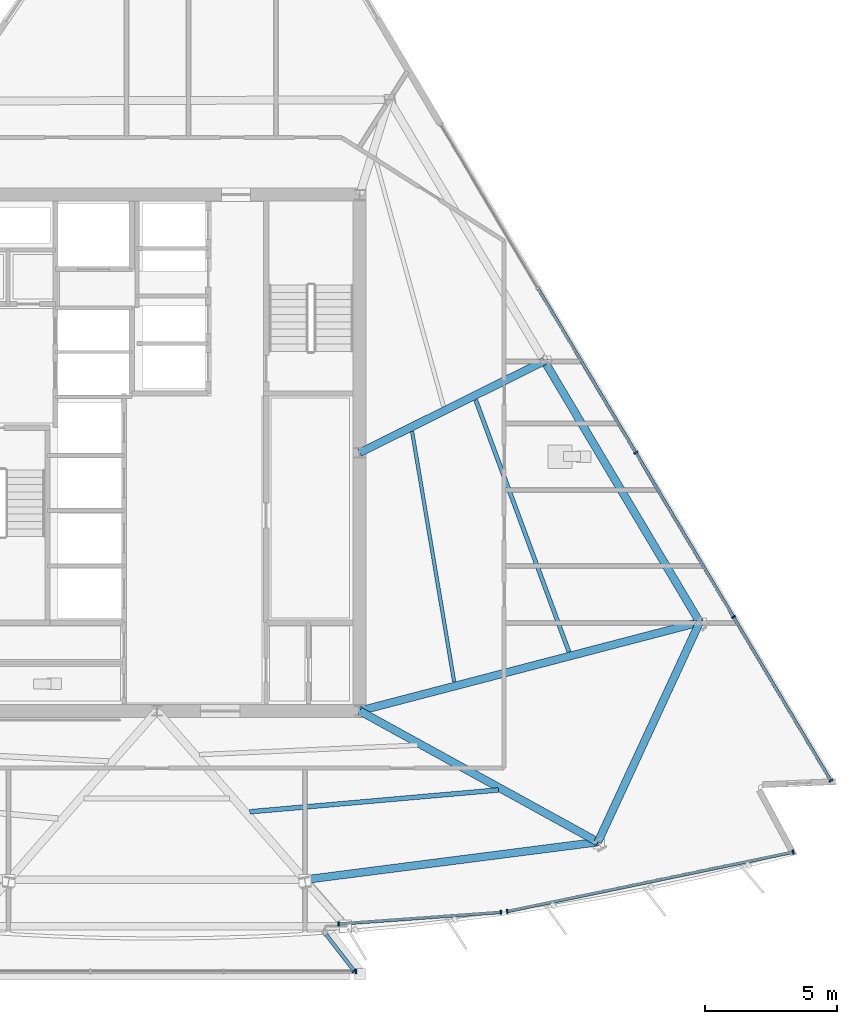
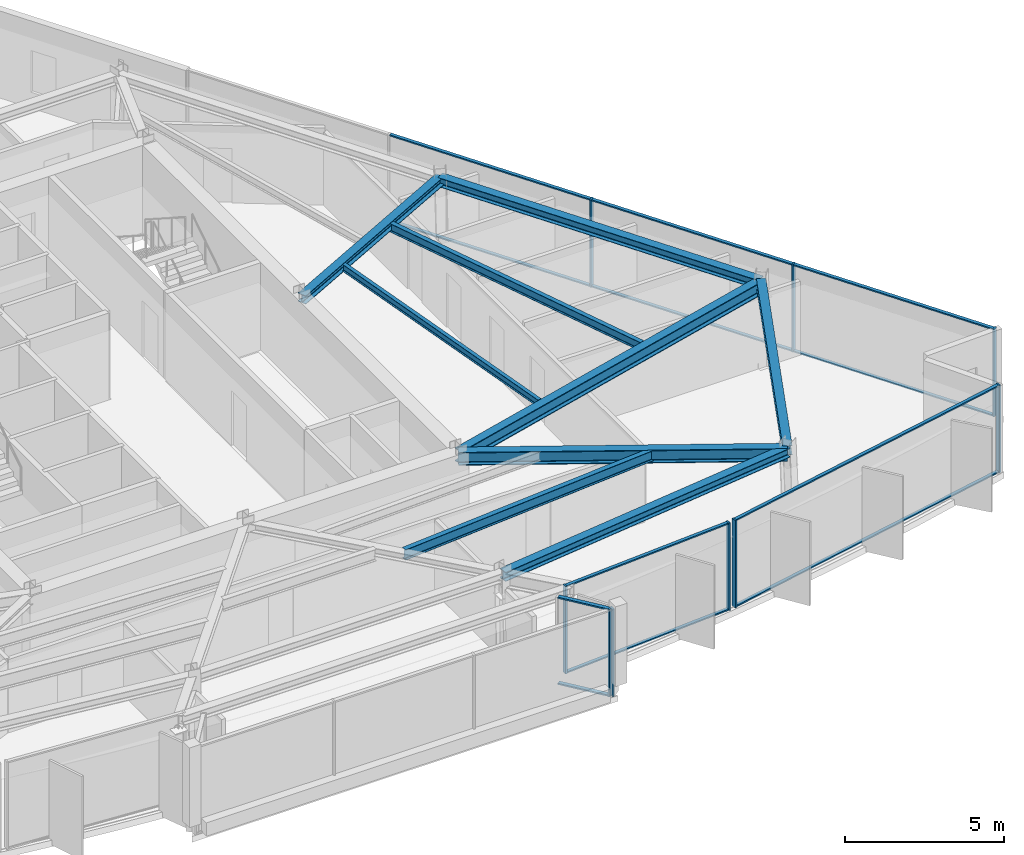
# One storey, part 5 of 14: 21 members, 9 beams, 5 elements without a shape of their own.
"""IFC4 building model written with IfcOpenShell, lengths in metres."""

import ifcopenshell
import ifcopenshell.guid

model = None  # the IFC model being written
_history = None  # IfcOwnerHistory: only IFC2X3 demands one
_inside = {}  # id of a spatial element -> (the spatial element, [elements in it])
_under = {}  # id of a project, library or spatial element -> (it, [spatial elements below it])
_declared = {}  # id of a project -> (the project, [libraries it declares])
_typed = {}  # id of a type object -> (the type object, [elements of that type])
_made_of = {}  # id of a material, layer set ... -> (it, [elements and type objects made of it])


def new_model(schema):
    """Start an empty IFC model of exactly this schema.

    Asked for "IFC4X3", IfcOpenShell would pick the latest addendum, in which some entities
    have other attributes; the version numbers below select the first issue.
    IFC2X3 requires an IfcOwnerHistory on every rooted entity: one is made here for all.
    """
    global model, _history
    if schema == "IFC4X3":
        model = ifcopenshell.file(schema_version=(4, 3, 0, 0))
    else:
        model = ifcopenshell.file(schema=schema)
    _inside.clear()
    _under.clear()
    _declared.clear()
    _typed.clear()
    _made_of.clear()
    _history = None
    if model.schema == "IFC2X3":
        org = make("IfcOrganization", Name="unknown")
        user = make(
            "IfcPersonAndOrganization",
            ThePerson=make("IfcPerson", FamilyName="unknown"),
            TheOrganization=org,
        )
        app = make(
            "IfcApplication",
            ApplicationDeveloper=org,
            Version="unknown",
            ApplicationFullName="unknown",
            ApplicationIdentifier="unknown",
        )
        _history = make(
            "IfcOwnerHistory",
            OwningUser=user,
            OwningApplication=app,
            ChangeAction="ADDED",
            CreationDate=0,
        )
    return model


def make(cls, **values):
    """One entity of the class cls with the attributes given. An attribute that is None is left unset."""
    return model.create_entity(
        cls, **{name: value for name, value in values.items() if value is not None}
    )


def rooted(cls, **values):
    """An entity with a GlobalId (a new one), such as an element, a storey or a relation."""
    return make(cls, GlobalId=ifcopenshell.guid.new(), OwnerHistory=_history, **values)


def si_unit(unit_type, name, prefix=None):
    """IfcSIUnit, for example si_unit("LENGTHUNIT", "METRE", prefix="MILLI")."""
    return make("IfcSIUnit", UnitType=unit_type, Prefix=prefix, Name=name)


def assignment(units):
    """IfcUnitAssignment: the units of a project."""
    return None if units is None else make("IfcUnitAssignment", Units=units)


def point(xyz):
    """IfcCartesianPoint."""
    return None if xyz is None else make("IfcCartesianPoint", Coordinates=xyz)


def direction(xyz):
    """IfcDirection."""
    return None if xyz is None else make("IfcDirection", DirectionRatios=xyz)


def frame(location, z_axis=None, x_axis=None):
    """IfcAxis2Placement3D, a coordinate frame: its origin and axes. An axis left out is left unset."""
    return make(
        "IfcAxis2Placement3D",
        Location=point(location),
        Axis=direction(z_axis),
        RefDirection=direction(x_axis),
    )


def frame_2d(location, x_axis=None):
    """IfcAxis2Placement2D, a coordinate frame in the plane: its origin and x axis."""
    return make(
        "IfcAxis2Placement2D", Location=point(location), RefDirection=direction(x_axis)
    )


def origin():
    """The frame at (0, 0, 0) with its axes left unset."""
    return frame((0.0, 0.0, 0.0))


def origin_2d():
    """The frame at (0, 0) in the plane with its x axis left unset."""
    return frame_2d((0.0, 0.0))


def place(relative_to, where):
    """IfcLocalPlacement: puts the frame where relative to a parent placement (None: the world)."""
    return make(
        "IfcLocalPlacement", PlacementRelTo=relative_to, RelativePlacement=where
    )


def context(
    kind, dimensions, precision=None, world=None, true_north=None, identifier=None
):
    """IfcGeometricRepresentationContext, for example the 3D "Model" context."""
    return make(
        "IfcGeometricRepresentationContext",
        ContextIdentifier=identifier,
        ContextType=kind,
        CoordinateSpaceDimension=dimensions,
        Precision=precision,
        WorldCoordinateSystem=world,
        TrueNorth=true_north,
    )


def subcontext(parent, identifier, kind, view, scale=None):
    """IfcGeometricRepresentationSubContext, for example "Body" below "Model"."""
    return make(
        "IfcGeometricRepresentationSubContext",
        ContextIdentifier=identifier,
        ContextType=kind,
        ParentContext=parent,
        TargetScale=scale,
        TargetView=view,
    )


def project(units=None, contexts=None):
    """IfcProject with its units and contexts."""
    return rooted(
        "IfcProject",
        Name="project",
        RepresentationContexts=contexts,
        UnitsInContext=assignment(units),
    )


def spatial(cls, under=None, at=None, **own):
    """A site, building, storey or space (cls), placed at a placement, below another one or the project."""
    s = rooted(cls, ObjectPlacement=at, **own)
    if under is not None:
        _under.setdefault(under.id(), (under, []))[1].append(s)
    return s


def profile(cls, at=None, kind="AREA", **sizes):
    """A parametric profile (cls). Its sizes go by their IFC names, for example OverallWidth=200.0."""
    return make(cls, ProfileType=kind, Position=at, **sizes)


def rectangle(**sizes):
    """IfcRectangleProfileDef."""
    return profile("IfcRectangleProfileDef", **sizes)


def i_section(**sizes):
    """IfcIShapeProfileDef."""
    return profile("IfcIShapeProfileDef", **sizes)


def extrude(swept, where, along, depth):
    """IfcExtrudedAreaSolid: the profile swept, set in the frame where, extruded along a direction by depth."""
    return make(
        "IfcExtrudedAreaSolid",
        SweptArea=swept,
        Position=where,
        ExtrudedDirection=direction(along),
        Depth=depth,
    )


def shape(context_of_items, identifier, shape_type, items):
    """IfcShapeRepresentation: the items that make up one representation, for example the "Body"."""
    return make(
        "IfcShapeRepresentation",
        ContextOfItems=context_of_items,
        RepresentationIdentifier=identifier,
        RepresentationType=shape_type,
        Items=items,
    )


def material(Name=None, Category=None):
    """IfcMaterial."""
    return make("IfcMaterial", Name=Name, Category=Category)


def material_profile(
    of_material, cross_section, Name=None, Category=None, Priority=None
):
    """IfcMaterialProfile: a cross section and its material."""
    return make(
        "IfcMaterialProfile",
        Name=Name,
        Material=of_material,
        Profile=cross_section,
        Priority=Priority,
        Category=Category,
    )


def profile_set(profiles, Name=None, composite=None):
    """IfcMaterialProfileSet."""
    return make(
        "IfcMaterialProfileSet",
        Name=Name,
        MaterialProfiles=profiles,
        CompositeProfile=composite,
    )


def made_of(thing, what):
    """Note that an element or type object is made of a material, layer set ...; save() writes the relation."""
    if what is not None:
        _made_of.setdefault(what.id(), (what, []))[1].append(thing)
    return thing


def type_object(cls, material=None, **own):
    """A type object (cls), such as IfcWallType, which elements share."""
    return made_of(rooted(cls, **own), material)


def element(
    cls,
    number,
    at=None,
    inside=None,
    cuts=None,
    type_object=None,
    material=None,
    context=None,
    identifier="Body",
    shape_type=None,
    held_by="IfcProductDefinitionShape",
    body=None,
    shapes=None,
    **own,
):
    """One element of the class cls, such as IfcWall. Its Tag is "e" and its number.

    at: its placement. inside: the storey or other place that contains it. cuts: it is an
    opening in that element (IfcRelVoidsElement). A single representation is given by context,
    identifier, shape_type and body (its items); several are given by shapes. held_by: the class
    of the entity that holds the representations. save() writes the other relations.
    """
    e = rooted(cls, Tag="e%d" % number, ObjectPlacement=at, **own)
    if body is not None:
        shapes = [shape(context, identifier, shape_type, body)]
    if shapes is not None:
        e.Representation = make(held_by, Representations=shapes)
    if inside is not None:
        _inside.setdefault(inside.id(), (inside, []))[1].append(e)
    if cuts is not None:
        rooted(
            "IfcRelVoidsElement", RelatingBuildingElement=cuts, RelatedOpeningElement=e
        )
    if type_object is not None:
        _typed.setdefault(type_object.id(), (type_object, []))[1].append(e)
    return made_of(e, material)


def aggregate(whole, parts):
    """IfcRelAggregates: a whole, such as a stair, and the parts it consists of."""
    return rooted("IfcRelAggregates", RelatingObject=whole, RelatedObjects=parts)


def save(model, path):
    """Write the relations noted so far, then the file.

    IfcRelAggregates (storeys below a building ...), IfcRelContainedInSpatialStructure (elements
    in a storey), IfcRelDefinesByType, IfcRelAssociatesMaterial and IfcRelDeclares: one each for
    every whole, place, type object, material and project.
    """
    for whole, parts in _under.values():
        aggregate(whole, parts)
    for where, things in _inside.values():
        rooted(
            "IfcRelContainedInSpatialStructure",
            RelatedElements=things,
            RelatingStructure=where,
        )
    for kind, things in _typed.values():
        rooted("IfcRelDefinesByType", RelatedObjects=things, RelatingType=kind)
    for what, things in _made_of.values():
        rooted("IfcRelAssociatesMaterial", RelatedObjects=things, RelatingMaterial=what)
    for by, libraries in _declared.values():
        rooted("IfcRelDeclares", RelatingContext=by, RelatedDefinitions=libraries)
    model.write(path)


model = new_model("IFC4")

# Units and contexts
model_context = context("Model", 3, precision=1e-05, world=origin(), true_north=direction((0.0, 1.0)))
body_context = subcontext(model_context, "Body", "Model", "MODEL_VIEW")
ifc_project = project(units=[si_unit("LENGTHUNIT", "METRE"), si_unit("AREAUNIT", "SQUARE_METRE"), si_unit("VOLUMEUNIT", "CUBIC_METRE"), si_unit("PLANEANGLEUNIT", "RADIAN"), si_unit("MASSUNIT", "GRAM", prefix="KILO")], contexts=[model_context])

# Site, building, storey
site_placement = place(None, origin())
site = spatial("IfcSite", under=ifc_project, at=site_placement, CompositionType="ELEMENT")
building_placement = place(site_placement, origin())
building = spatial("IfcBuilding", under=site, at=building_placement, Name="Savorim Split Tower", CompositionType="ELEMENT")
storey_placement = place(building_placement, frame((0.0, 0.0, 205.5)))
storey = spatial("IfcBuildingStorey", under=building, at=storey_placement, Name="L54", CompositionType="ELEMENT", Elevation=205.5)

# Beams
ifc_material_1 = material(Name="Steel S355", Category="steel")
ifc_material_profile_1 = material_profile(ifc_material_1, i_section(OverallWidth=0.135009765625, OverallDepth=0.27001953125, WebThickness=0.006591796875, FlangeThickness=0.01025390625, FilletRadius=0.014892578125, at=origin_2d()), Name="IPE 270")
ifc_profile_set_1 = profile_set([ifc_material_profile_1], Name="Steel S355")
beam_type_1 = type_object("IfcBeamType", Name="BM-JST-IPE270", PredefinedType="JOIST", material=ifc_profile_set_1)
beam_1_placement = place(storey_placement, frame((11.2880859375, -8.299072265625, 3.215087890625), z_axis=(-0.165604994869, 0.986192164679, 0.0), x_axis=(-0.986192164679, -0.165604994869, 0.0)))
element("IfcBeam", 1, at=beam_1_placement, inside=storey, type_object=beam_type_1, Name="L54 Secondary Floor Joist JS-08", PredefinedType="JOIST", context=body_context, shape_type="SweptSolid", body=[
    extrude(i_section(OverallWidth=0.135009765625, OverallDepth=0.27001953125, WebThickness=0.006591796875, FlangeThickness=0.01025390625, FilletRadius=0.014892578125, at=origin_2d()), origin(), (0.0, 0.0, 1.0), 9.650390625),
])
ifc_material_profile_2 = material_profile(ifc_material_1, i_section(OverallWidth=0.159912109375, OverallDepth=0.330078125, WebThickness=0.007568359375, FlangeThickness=0.011474609375, FilletRadius=0.01806640625, at=origin_2d()), Name="IPE 330")
ifc_profile_set_2 = profile_set([ifc_material_profile_2], Name="Steel S355")
beam_type_2 = type_object("IfcBeamType", Name="BM-JST-IPE330", PredefinedType="JOIST", material=ifc_profile_set_2)
beam_2_placement = place(storey_placement, frame((15.64794921875, -7.16162109375, 3.18505859375), z_axis=(-0.34727540739, 0.93776318515, 0.0), x_axis=(-0.93776318515, -0.34727540739, 0.0)))
element("IfcBeam", 2, at=beam_2_placement, inside=storey, type_object=beam_type_2, Name="L54 Secondary Floor Joist JS-06", PredefinedType="JOIST", context=body_context, shape_type="SweptSolid", body=[
    extrude(i_section(OverallWidth=0.159912109375, OverallDepth=0.330078125, WebThickness=0.007568359375, FlangeThickness=0.011474609375, FilletRadius=0.01806640625, at=origin_2d()), origin(), (0.0, 0.0, 1.0), 10.207763671875),
])
ifc_material_profile_3 = material_profile(ifc_material_1, i_section(OverallWidth=0.179931640625, OverallDepth=0.39990234375, WebThickness=0.008544921875, FlangeThickness=0.013427734375, FilletRadius=0.02099609375, at=origin_2d()), Name="IPE 400")
ifc_profile_set_3 = profile_set([ifc_material_profile_3], Name="Steel S355")
beam_type_3 = type_object("IfcBeamType", Name="BM-JST-IPE400", PredefinedType="JOIST", material=ifc_profile_set_3)
beam_3_placement = place(storey_placement, frame((3.52685546875, -13.231201171875, 3.14990234375), z_axis=(0.996161888669, 0.087529946672, 0.0), x_axis=(-0.087529946672, 0.996161888669, 0.0)))
element("IfcBeam", 3, at=beam_3_placement, inside=storey, type_object=beam_type_3, Name="L54 Secondary Floor Joist JS-04", PredefinedType="JOIST", context=body_context, shape_type="SweptSolid", body=[
    extrude(i_section(OverallWidth=0.179931640625, OverallDepth=0.39990234375, WebThickness=0.008544921875, FlangeThickness=0.013427734375, FilletRadius=0.02099609375, at=origin_2d()), origin(), (0.0, 0.0, 1.0), 9.477783203125),
])
ifc_material_profile_4 = material_profile(ifc_material_1, i_section(OverallWidth=0.300048828125, OverallDepth=0.320068359375, WebThickness=0.011474609375, FlangeThickness=0.0205078125, FilletRadius=0.027099609375, at=origin_2d()), Name="HEB 320")
ifc_profile_set_4 = profile_set([ifc_material_profile_4], Name="Steel S355")
beam_type_4 = type_object("IfcBeamType", Name="BM-PRI-HEB320", PredefinedType="BEAM", material=ifc_profile_set_4)
beam_4_placement = place(storey_placement, frame((14.712158203125, 3.885009765625, 3.18994140625), z_axis=(-0.895497145168, -0.445067256711, 0.0), x_axis=(0.445067256711, -0.895497145168, 0.0)))
element("IfcBeam", 4, at=beam_4_placement, inside=storey, type_object=beam_type_4, Name="L54 Primary Floor Girder RG-06", PredefinedType="BEAM", context=body_context, shape_type="SweptSolid", body=[
    extrude(i_section(OverallWidth=0.300048828125, OverallDepth=0.320068359375, WebThickness=0.011474609375, FlangeThickness=0.0205078125, FilletRadius=0.027099609375, at=origin_2d()), origin(), (0.0, 0.0, 1.0), 7.83056640625),
])
ifc_material_profile_5 = material_profile(ifc_material_1, i_section(OverallWidth=0.300048828125, OverallDepth=0.5, WebThickness=0.014404296875, FlangeThickness=0.028076171875, FilletRadius=0.027099609375, at=origin_2d()), Name="HEB 500")
ifc_profile_set_5 = profile_set([ifc_material_profile_5], Name="Steel S355")
beam_type_5 = type_object("IfcBeamType", Name="BM-PRI-HEB500", PredefinedType="BEAM", material=ifc_profile_set_5)
beam_5_placement = place(storey_placement, frame((16.74609375, -14.379150390625, 3.10009765625), z_axis=(-0.8760576188, 0.482206437682, 0.0), x_axis=(-0.482206437682, -0.8760576188, 0.0)))
element("IfcBeam", 5, at=beam_5_placement, inside=storey, type_object=beam_type_5, Name="L54 Primary Floor Girder RG-04", PredefinedType="BEAM", context=body_context, shape_type="SweptSolid", body=[
    extrude(i_section(OverallWidth=0.300048828125, OverallDepth=0.5, WebThickness=0.014404296875, FlangeThickness=0.028076171875, FilletRadius=0.027099609375, at=origin_2d()), origin(), (0.0, 0.0, 1.0), 10.325927734375),
])
beam_6_placement = place(storey_placement, frame((20.60888671875, -6.031494140625, 3.10009765625), z_axis=(-0.967601529455, -0.252482237388, 0.0), x_axis=(0.252482237388, -0.967601529455, 0.0)))
element("IfcBeam", 6, at=beam_6_placement, inside=storey, type_object=beam_type_5, Name="L54 Primary Floor Girder RG-05", PredefinedType="BEAM", context=body_context, shape_type="SweptSolid", body=[
    extrude(i_section(OverallWidth=0.300048828125, OverallDepth=0.5, WebThickness=0.014404296875, FlangeThickness=0.028076171875, FilletRadius=0.027099609375, at=origin_2d()), origin(), (0.0, 0.0, 1.0), 13.341064453125),
])
ifc_material_profile_6 = material_profile(ifc_material_1, i_section(OverallWidth=0.300048828125, OverallDepth=0.35009765625, WebThickness=0.010009765625, FlangeThickness=0.017578125, FilletRadius=0.027099609375, at=origin_2d()), Name="HEA 360")
ifc_profile_set_6 = profile_set([ifc_material_profile_6], Name="Steel S355")
beam_type_6 = type_object("IfcBeamType", Name="BM-SPN-HEA360", PredefinedType="SPANDREL", material=ifc_profile_set_6)
beam_7_placement = place(storey_placement, frame((5.612548828125, -15.80859375, 3.175048828125), z_axis=(0.991858435189, 0.127345375042, 0.0), x_axis=(-0.127345375042, 0.991858435189, 0.0)))
element("IfcBeam", 7, at=beam_7_placement, inside=storey, type_object=beam_type_6, Name="L54 Perimeter Spandrel Beam 3", PredefinedType="SPANDREL", context=body_context, shape_type="SweptSolid", body=[
    extrude(i_section(OverallWidth=0.300048828125, OverallDepth=0.35009765625, WebThickness=0.010009765625, FlangeThickness=0.017578125, FilletRadius=0.027099609375, at=origin_2d()), origin(), (0.0, 0.0, 1.0), 11.224853515625),
])
beam_8_placement = place(storey_placement, frame((16.74609375, -14.379150390625, 3.175048828125), z_axis=(0.419956794721, 0.907544098415, 0.0), x_axis=(-0.907544098415, 0.419956794721, 0.0)))
element("IfcBeam", 8, at=beam_8_placement, inside=storey, type_object=beam_type_6, Name="L54 Perimeter Spandrel Beam 4", PredefinedType="SPANDREL", context=body_context, shape_type="SweptSolid", body=[
    extrude(i_section(OverallWidth=0.300048828125, OverallDepth=0.35009765625, WebThickness=0.010009765625, FlangeThickness=0.017578125, FilletRadius=0.027099609375, at=origin_2d()), origin(), (0.0, 0.0, 1.0), 9.197998046875),
])
beam_9_placement = place(storey_placement, frame((20.60888671875, -6.031494140625, 3.175048828125), z_axis=(-0.511102857445, 0.859519557143, 0.0), x_axis=(-0.859519557143, -0.511102857445, 0.0)))
element("IfcBeam", 9, at=beam_9_placement, inside=storey, type_object=beam_type_6, Name="L54 Perimeter Spandrel Beam 5", PredefinedType="SPANDREL", context=body_context, shape_type="SweptSolid", body=[
    extrude(i_section(OverallWidth=0.300048828125, OverallDepth=0.35009765625, WebThickness=0.010009765625, FlangeThickness=0.017578125, FilletRadius=0.027099609375, at=origin_2d()), origin(), (0.0, 0.0, 1.0), 11.537353515625),
])

# Curtain wall, members
ifc_material_2 = material(Name="Dark Ceramic-Fritted Insulated Glass", Category="glass")
curtain_wall_type_1 = type_object("IfcCurtainWallType", Name="CW-TWR-FRIT-B", PredefinedType="NOTDEFINED", material=ifc_material_2)
curtain_wall_1_placement = place(storey_placement, origin())
curtain_wall_1 = element("IfcCurtainWall", 10, at=curtain_wall_1_placement, inside=storey, type_object=curtain_wall_type_1, Name="L54 Curtain Wall CW-L54-SF3A", PredefinedType="NOTDEFINED")
ifc_material_3 = material(Name="Charcoal Anodised Aluminium", Category="aluminium")
ifc_material_profile_7 = material_profile(ifc_material_3, rectangle(XDim=0.159912109375, YDim=0.06005859375, at=origin_2d()), Name="ALU-M 160x60")
ifc_profile_set_7 = profile_set([ifc_material_profile_7], Name="Charcoal Anodised Aluminium")
member_type_1 = type_object("IfcMemberType", Name="CWM-160x60", PredefinedType="MULLION", material=ifc_profile_set_7)
member_1_placement = place(storey_placement, frame((6.8994140625, -17.487060546875, 0.0), z_axis=(0.0, 0.0, 1.0), x_axis=(-0.071552325109, 0.99743684751, 0.0)))
member_1 = element("IfcMember", 11, at=member_1_placement, type_object=member_type_1, Name="CW-03 mullion 1", PredefinedType="MULLION", context=body_context, shape_type="SweptSolid", body=[
    extrude(rectangle(XDim=0.159912109375, YDim=0.06005859375, at=origin_2d()), origin(), (0.0, 0.0, 1.0), 3.35009765625),
])
member_2_placement = place(storey_placement, frame((13.062255859375, -17.044921875, 0.0), z_axis=(0.0, 0.0, 1.0), x_axis=(-0.071552325109, 0.99743684751, 0.0)))
member_2 = element("IfcMember", 12, at=member_2_placement, type_object=member_type_1, Name="CW-03 mullion 2", PredefinedType="MULLION", context=body_context, shape_type="SweptSolid", body=[
    extrude(rectangle(XDim=0.159912109375, YDim=0.06005859375, at=origin_2d()), origin(), (0.0, 0.0, 1.0), 3.35009765625),
])

curtain_wall_2_placement = place(storey_placement, origin())
curtain_wall_2 = element("IfcCurtainWall", 13, at=curtain_wall_2_placement, inside=storey, type_object=curtain_wall_type_1, Name="L54 Curtain Wall CW-L54-SF4A", PredefinedType="NOTDEFINED")
member_3_placement = place(storey_placement, frame((13.303466796875, -17.011474609375, 0.0), z_axis=(0.0, 0.0, 1.0), x_axis=(-0.203210452448, 0.979135083641, 0.0)))
member_3 = element("IfcMember", 14, at=member_3_placement, type_object=member_type_1, Name="CW-03 mullion 1", PredefinedType="MULLION", context=body_context, shape_type="SweptSolid", body=[
    extrude(rectangle(XDim=0.159912109375, YDim=0.06005859375, at=origin_2d()), origin(), (0.0, 0.0, 1.0), 3.35009765625),
])
member_4_placement = place(storey_placement, frame((24.15869140625, -14.758544921875, 0.0), z_axis=(0.0, 0.0, 1.0), x_axis=(-0.203210452448, 0.979135083641, 0.0)))
member_4 = element("IfcMember", 15, at=member_4_placement, type_object=member_type_1, Name="CW-03 mullion 2", PredefinedType="MULLION", context=body_context, shape_type="SweptSolid", body=[
    extrude(rectangle(XDim=0.159912109375, YDim=0.06005859375, at=origin_2d()), origin(), (0.0, 0.0, 1.0), 3.35009765625),
])

curtain_wall_3_placement = place(storey_placement, origin())
curtain_wall_3 = element("IfcCurtainWall", 16, at=curtain_wall_3_placement, inside=storey, type_object=curtain_wall_type_1, Name="L54 Curtain Wall CW-L54-EAST", PredefinedType="NOTDEFINED")
member_5_placement = place(storey_placement, frame((25.586181640625, -12.04736328125, 0.0), z_axis=(0.0, 0.0, 1.0), x_axis=(-0.859525909056, -0.511092175308, 0.0)))
member_5 = element("IfcMember", 17, at=member_5_placement, type_object=member_type_1, Name="CW-03 mullion 1", PredefinedType="MULLION", context=body_context, shape_type="SweptSolid", body=[
    extrude(rectangle(XDim=0.159912109375, YDim=0.06005859375, at=origin_2d()), origin(), (0.0, 0.0, 1.0), 3.35009765625),
])
member_6_placement = place(storey_placement, frame((21.89208984375, -5.8349609375, 0.0), z_axis=(0.0, 0.0, 1.0), x_axis=(-0.859525909056, -0.511092175308, 0.0)))
member_6 = element("IfcMember", 18, at=member_6_placement, type_object=member_type_1, Name="CW-03 mullion 2", PredefinedType="MULLION", context=body_context, shape_type="SweptSolid", body=[
    extrude(rectangle(XDim=0.159912109375, YDim=0.06005859375, at=origin_2d()), origin(), (0.0, 0.0, 1.0), 3.35009765625),
])
member_7_placement = place(storey_placement, frame((18.1826171875, 0.4033203125, 0.0), z_axis=(0.0, 0.0, 1.0), x_axis=(-0.859525909056, -0.511092175308, 0.0)))
member_7 = element("IfcMember", 19, at=member_7_placement, type_object=member_type_1, Name="CW-03 mullion 3", PredefinedType="MULLION", context=body_context, shape_type="SweptSolid", body=[
    extrude(rectangle(XDim=0.159912109375, YDim=0.06005859375, at=origin_2d()), origin(), (0.0, 0.0, 1.0), 3.35009765625),
])

# Curtain wall, member
curtain_wall_type_2 = type_object("IfcCurtainWallType", Name="CW-BAY-LOUNGE", PredefinedType="NOTDEFINED", material=ifc_material_2)
curtain_wall_4_placement = place(storey_placement, origin())
curtain_wall_4 = element("IfcCurtainWall", 20, at=curtain_wall_4_placement, inside=storey, type_object=curtain_wall_type_2, Name="L54 Curtain Wall CW-L54-BAYF", PredefinedType="NOTDEFINED")
ifc_material_profile_8 = material_profile(ifc_material_3, rectangle(XDim=0.179931640625, YDim=0.06494140625, at=origin_2d()), Name="ALU-M 180x65")
ifc_profile_set_8 = profile_set([ifc_material_profile_8], Name="Charcoal Anodised Aluminium")
member_type_2 = type_object("IfcMemberType", Name="CWM-180x65", PredefinedType="MULLION", material=ifc_profile_set_8)
member_8_placement = place(storey_placement, frame((7.5625, -19.296142578125, 0.0), z_axis=(0.0, 0.0, 1.0), x_axis=(0.0, 1.0, 0.0)))
member_8 = element("IfcMember", 21, at=member_8_placement, type_object=member_type_2, Name="CW-04 mullion 4", PredefinedType="MULLION", context=body_context, shape_type="SweptSolid", body=[
    extrude(rectangle(XDim=0.179931640625, YDim=0.06494140625, at=origin_2d()), origin(), (0.0, 0.0, 1.0), 3.35009765625),
])
aggregate(curtain_wall_4, [member_8])

curtain_wall_5_placement = place(storey_placement, origin())
curtain_wall_5 = element("IfcCurtainWall", 22, at=curtain_wall_5_placement, inside=storey, type_object=curtain_wall_type_2, Name="L54 Curtain Wall CW-L54-BAYE", PredefinedType="NOTDEFINED")
member_9_placement = place(storey_placement, frame((7.49072265625, -19.269287109375, 0.0), z_axis=(0.0, 0.0, 1.0), x_axis=(-0.791644427418, -0.610982078738, 0.0)))
member_9 = element("IfcMember", 23, at=member_9_placement, type_object=member_type_2, Name="CW-04 mullion 1", PredefinedType="MULLION", context=body_context, shape_type="SweptSolid", body=[
    extrude(rectangle(XDim=0.179931640625, YDim=0.06494140625, at=origin_2d()), origin(), (0.0, 0.0, 1.0), 3.35009765625),
])

# Member
ifc_material_profile_9 = material_profile(ifc_material_3, rectangle(XDim=0.1201171875, YDim=0.050048828125, at=origin_2d()), Name="ALU-T 120x50")
ifc_profile_set_9 = profile_set([ifc_material_profile_9], Name="Charcoal Anodised Aluminium")
member_type_3 = type_object("IfcMemberType", Name="CWT-120x50", PredefinedType="USERDEFINED", material=ifc_profile_set_9)
member_10_placement = place(storey_placement, frame((6.929443359375, -17.48486328125, 0.02490234375), z_axis=(0.99743759191, 0.071541947448, 0.0), x_axis=(-0.071541947448, 0.99743759191, 0.0)))
member_10 = element("IfcMember", 24, at=member_10_placement, type_object=member_type_3, Name="CW-03 transom 1.1", ObjectType="TRANSOM", PredefinedType="USERDEFINED", context=body_context, shape_type="SweptSolid", body=[
    extrude(rectangle(XDim=0.1201171875, YDim=0.050048828125, at=origin_2d()), origin(), (0.0, 0.0, 1.0), 6.11865234375),
])

member_11_placement = place(storey_placement, frame((6.929443359375, -17.48486328125, 3.324951171875), z_axis=(0.99743759191, 0.071541947448, 0.0), x_axis=(-0.071541947448, 0.99743759191, 0.0)))
member_11 = element("IfcMember", 25, at=member_11_placement, type_object=member_type_3, Name="CW-03 transom 1.2", ObjectType="TRANSOM", PredefinedType="USERDEFINED", context=body_context, shape_type="SweptSolid", body=[
    extrude(rectangle(XDim=0.1201171875, YDim=0.050048828125, at=origin_2d()), origin(), (0.0, 0.0, 1.0), 6.11865234375),
])

aggregate(curtain_wall_1, [member_1, member_2, member_10, member_11])

member_12_placement = place(storey_placement, frame((13.332763671875, -17.00537109375, 0.02490234375), z_axis=(0.979135416768, 0.203208847322, 0.0), x_axis=(-0.203208847322, 0.979135416768, 0.0)))
member_12 = element("IfcMember", 26, at=member_12_placement, type_object=member_type_3, Name="CW-03 transom 1.1", ObjectType="TRANSOM", PredefinedType="USERDEFINED", context=body_context, shape_type="SweptSolid", body=[
    extrude(rectangle(XDim=0.1201171875, YDim=0.050048828125, at=origin_2d()), origin(), (0.0, 0.0, 1.0), 11.026611328125),
])

member_13_placement = place(storey_placement, frame((13.332763671875, -17.00537109375, 3.324951171875), z_axis=(0.979135416768, 0.203208847322, 0.0), x_axis=(-0.203208847322, 0.979135416768, 0.0)))
member_13 = element("IfcMember", 27, at=member_13_placement, type_object=member_type_3, Name="CW-03 transom 1.2", ObjectType="TRANSOM", PredefinedType="USERDEFINED", context=body_context, shape_type="SweptSolid", body=[
    extrude(rectangle(XDim=0.1201171875, YDim=0.050048828125, at=origin_2d()), origin(), (0.0, 0.0, 1.0), 11.026611328125),
])

aggregate(curtain_wall_2, [member_3, member_4, member_12, member_13])

member_14_placement = place(storey_placement, frame((25.57080078125, -12.021484375, 0.02490234375), z_axis=(-0.511085594604, 0.859529822047, 0.0), x_axis=(-0.859529822047, -0.511085594604, 0.0)))
member_14 = element("IfcMember", 28, at=member_14_placement, type_object=member_type_3, Name="CW-03 transom 1.1", ObjectType="TRANSOM", PredefinedType="USERDEFINED", context=body_context, shape_type="SweptSolid", body=[
    extrude(rectangle(XDim=0.1201171875, YDim=0.050048828125, at=origin_2d()), origin(), (0.0, 0.0, 1.0), 7.167724609375),
])

member_15_placement = place(storey_placement, frame((25.57080078125, -12.021484375, 3.324951171875), z_axis=(-0.511085594604, 0.859529822047, 0.0), x_axis=(-0.859529822047, -0.511085594604, 0.0)))
member_15 = element("IfcMember", 29, at=member_15_placement, type_object=member_type_3, Name="CW-03 transom 1.2", ObjectType="TRANSOM", PredefinedType="USERDEFINED", context=body_context, shape_type="SweptSolid", body=[
    extrude(rectangle(XDim=0.1201171875, YDim=0.050048828125, at=origin_2d()), origin(), (0.0, 0.0, 1.0), 7.167724609375),
])

member_16_placement = place(storey_placement, frame((21.876708984375, -5.80908203125, 0.02490234375), z_axis=(-0.511099775208, 0.85952138995, 0.0), x_axis=(-0.85952138995, -0.511099775208, 0.0)))
member_16 = element("IfcMember", 30, at=member_16_placement, type_object=member_type_3, Name="CW-03 transom 2.1", ObjectType="TRANSOM", PredefinedType="USERDEFINED", context=body_context, shape_type="SweptSolid", body=[
    extrude(rectangle(XDim=0.1201171875, YDim=0.050048828125, at=origin_2d()), origin(), (0.0, 0.0, 1.0), 7.19775390625),
])

member_17_placement = place(storey_placement, frame((21.876708984375, -5.80908203125, 3.324951171875), z_axis=(-0.511099775208, 0.85952138995, 0.0), x_axis=(-0.85952138995, -0.511099775208, 0.0)))
member_17 = element("IfcMember", 31, at=member_17_placement, type_object=member_type_3, Name="CW-03 transom 2.2", ObjectType="TRANSOM", PredefinedType="USERDEFINED", context=body_context, shape_type="SweptSolid", body=[
    extrude(rectangle(XDim=0.1201171875, YDim=0.050048828125, at=origin_2d()), origin(), (0.0, 0.0, 1.0), 7.19775390625),
])

member_18_placement = place(storey_placement, frame((18.16748046875, 0.428955078125, 0.02490234375), z_axis=(-0.511084874667, 0.859530250129, 0.0), x_axis=(-0.859530250129, -0.511084874667, 0.0)))
member_18 = element("IfcMember", 32, at=member_18_placement, type_object=member_type_3, Name="CW-03 transom 3.1", ObjectType="TRANSOM", PredefinedType="USERDEFINED", context=body_context, shape_type="SweptSolid", body=[
    extrude(rectangle(XDim=0.1201171875, YDim=0.050048828125, at=origin_2d()), origin(), (0.0, 0.0, 1.0), 7.19775390625),
])

member_19_placement = place(storey_placement, frame((18.16748046875, 0.428955078125, 3.324951171875), z_axis=(-0.511084874667, 0.859530250129, 0.0), x_axis=(-0.859530250129, -0.511084874667, 0.0)))
member_19 = element("IfcMember", 33, at=member_19_placement, type_object=member_type_3, Name="CW-03 transom 3.2", ObjectType="TRANSOM", PredefinedType="USERDEFINED", context=body_context, shape_type="SweptSolid", body=[
    extrude(rectangle(XDim=0.1201171875, YDim=0.050048828125, at=origin_2d()), origin(), (0.0, 0.0, 1.0), 7.19775390625),
])

aggregate(curtain_wall_3, [member_5, member_6, member_7, member_14, member_15, member_16, member_17, member_18, member_19])

ifc_material_profile_10 = material_profile(ifc_material_3, rectangle(XDim=0.139892578125, YDim=0.054931640625, at=origin_2d()), Name="ALU-T 140x55")
ifc_profile_set_10 = profile_set([ifc_material_profile_10], Name="Charcoal Anodised Aluminium")
member_type_4 = type_object("IfcMemberType", Name="CWT-140x55", PredefinedType="USERDEFINED", material=ifc_profile_set_10)
member_20_placement = place(storey_placement, frame((7.470703125, -19.24365234375, 0.027587890625), z_axis=(-0.610872704721, 0.791728828973, 0.0), x_axis=(-0.791728828973, -0.610872704721, 0.0)))
member_20 = element("IfcMember", 34, at=member_20_placement, type_object=member_type_4, Name="CW-04 transom 1.1", ObjectType="TRANSOM", PredefinedType="USERDEFINED", context=body_context, shape_type="SweptSolid", body=[
    extrude(rectangle(XDim=0.139892578125, YDim=0.054931640625, at=origin_2d()), origin(), (0.0, 0.0, 1.0), 1.704833984375),
])

member_21_placement = place(storey_placement, frame((7.470703125, -19.24365234375, 3.322509765625), z_axis=(-0.610872704721, 0.791728828973, 0.0), x_axis=(-0.791728828973, -0.610872704721, 0.0)))
member_21 = element("IfcMember", 35, at=member_21_placement, type_object=member_type_4, Name="CW-04 transom 1.2", ObjectType="TRANSOM", PredefinedType="USERDEFINED", context=body_context, shape_type="SweptSolid", body=[
    extrude(rectangle(XDim=0.139892578125, YDim=0.054931640625, at=origin_2d()), origin(), (0.0, 0.0, 1.0), 1.704833984375),
])

aggregate(curtain_wall_5, [member_9, member_20, member_21])

save(model, "model.ifc")
